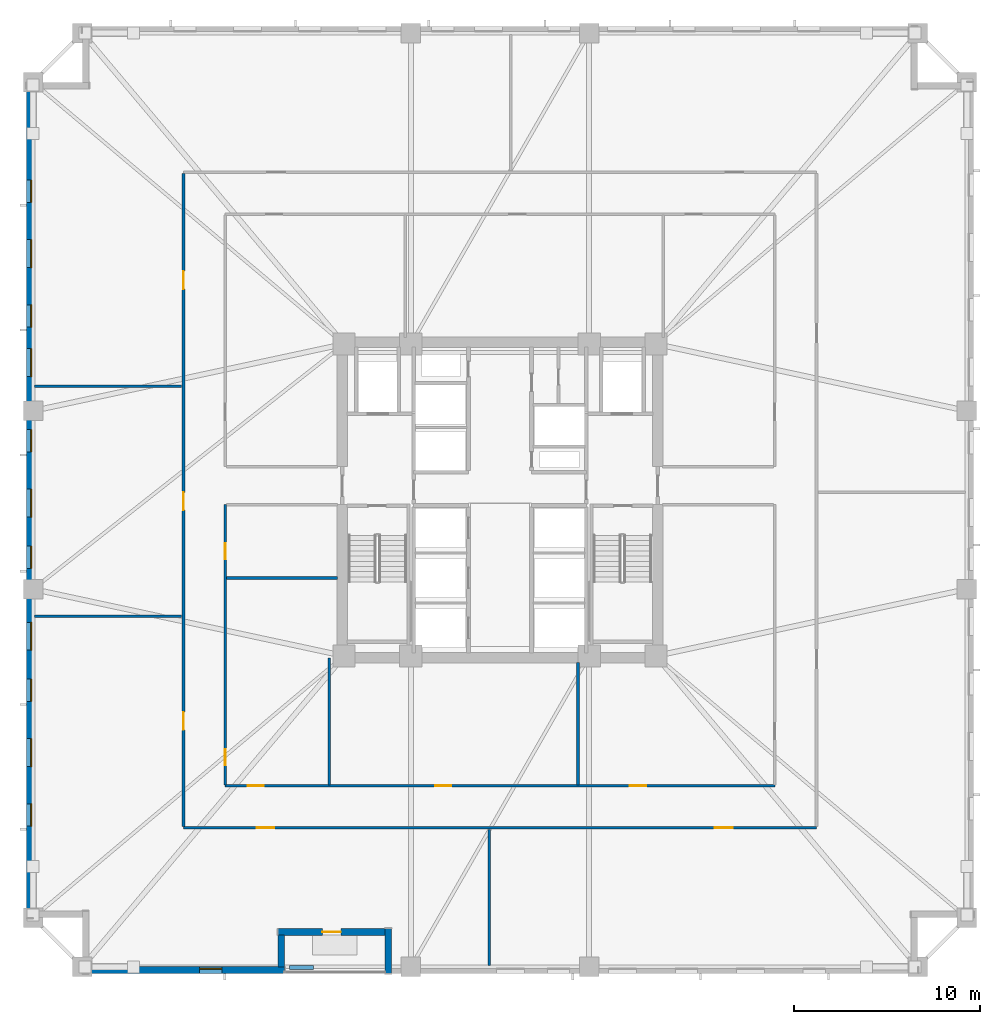
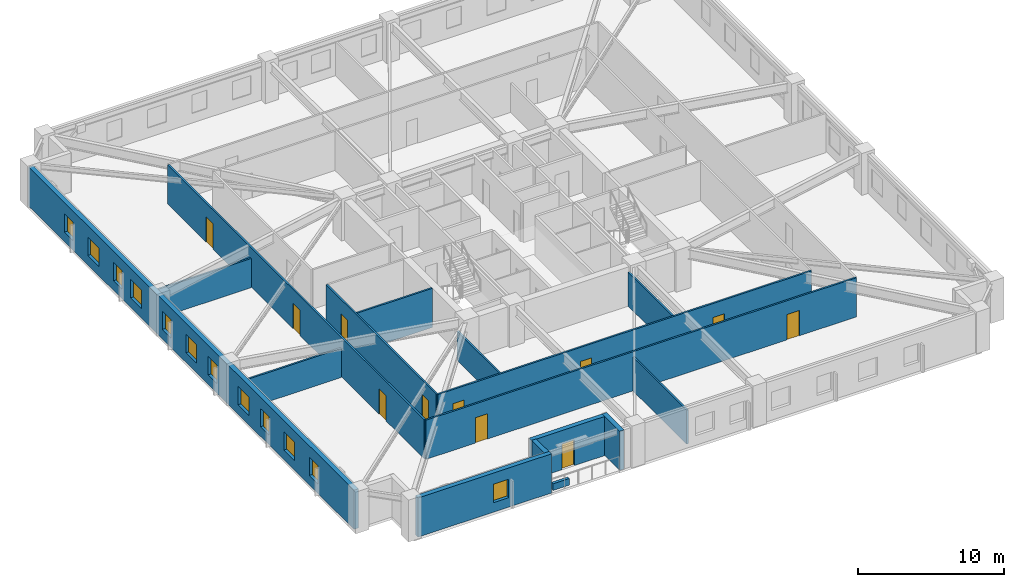
# One storey, part 2 of 10: 16 walls, 12 windows, 11 doors, 23 openings.
"""IFC4 building model written with IfcOpenShell, lengths in metres."""

from ifc_helpers import new_model, si_unit, direction, frame, frame_2d, origin, place, context, subcontext, project, spatial, rectangle, extrude, material, layer, layer_set, type_object, element, fill, save


model = new_model("IFC4")

# Units and contexts
model_context = context("Model", 3, precision=1e-05, world=origin(), true_north=direction((0.0, 1.0)))
body_context = subcontext(model_context, "Body", "Model", "MODEL_VIEW")
ifc_project = project(units=[si_unit("LENGTHUNIT", "METRE"), si_unit("AREAUNIT", "SQUARE_METRE"), si_unit("VOLUMEUNIT", "CUBIC_METRE"), si_unit("PLANEANGLEUNIT", "RADIAN"), si_unit("MASSUNIT", "GRAM", prefix="KILO")], contexts=[model_context])

# Site, building, storey
site_placement = place(None, origin())
site = spatial("IfcSite", under=ifc_project, at=site_placement, CompositionType="ELEMENT")
building_placement = place(site_placement, origin())
building = spatial("IfcBuilding", under=site, at=building_placement, Name="Cairnveth Concourse Tower", CompositionType="ELEMENT")
storey_placement = place(building_placement, frame((0.0, 0.0, 27.0)))
storey = spatial("IfcBuildingStorey", under=building, at=storey_placement, Name="L06", CompositionType="ELEMENT", Elevation=27.0)

# Wall, openings, doors
ifc_material_1 = material(Name="Gypsum Plasterboard Partition", Category="gypsum")
ifc_layer_1 = layer(ifc_material_1, 0.139892578125)
ifc_layer_set_1 = layer_set([ifc_layer_1], Name="Gypsum Plasterboard Partition")
wall_type_1 = type_object("IfcWallType", Name="GYPSUM STUD PARTITION 140", PredefinedType="PARTITIONING", material=ifc_layer_set_1)
wall_1_placement = place(storey_placement, frame((34.949951171875, 21.35009765625, 0.0), z_axis=(0.0, 0.0, 1.0), x_axis=(1.0, 0.0, 0.0)))
wall_1 = element("IfcWall", 1, at=wall_1_placement, inside=storey, type_object=wall_type_1, Name="Interior Wall IW-L06-038", PredefinedType="PARTITIONING", context=body_context, shape_type="SweptSolid", body=[
    extrude(rectangle(XDim=34.10009765625, YDim=0.139892578125, at=frame_2d((17.050048828125, 0.0))), origin(), (0.0, 0.0, 1.0), 3.280029296875),
])
opening_1_placement = place(wall_1_placement, frame((3.9375, 0.0, 0.0)))
opening_1 = element("IfcOpeningElement", 2, at=opening_1_placement, cuts=wall_1, Name="Opening ID11", PredefinedType="OPENING", context=body_context, shape_type="SweptSolid", body=[
    extrude(rectangle(XDim=0.9599609375, YDim=2.1201171875, at=frame_2d((0.47998046875, 1.06005859375))), frame((0.0, 0.079833984375, 0.0), z_axis=(0.0, -1.0, 0.0), x_axis=(1.0, 0.0, 0.0)), (0.0, 0.0, 1.0), 0.159912109375),
])
opening_2_placement = place(wall_1_placement, frame((28.617431640625, 0.0, 0.0)))
opening_2 = element("IfcOpeningElement", 3, at=opening_2_placement, cuts=wall_1, Name="Opening ID11", PredefinedType="OPENING", context=body_context, shape_type="SweptSolid", body=[
    extrude(rectangle(XDim=0.9599609375, YDim=2.1201171875, at=frame_2d((0.47998046875, 1.06005859375))), frame((0.0, 0.079833984375, 0.0), z_axis=(0.0, -1.0, 0.0), x_axis=(1.0, 0.0, 0.0)), (0.0, 0.0, 1.0), 0.159912109375),
])
ifc_material_2 = material(Name="Solid Core Hardwood Timber Leaf", Category="wood")
door_type_1 = type_object("IfcDoorType", Name="INTERIOR SINGLE DOOR 960X2150", OperationType="NOTDEFINED", PredefinedType="DOOR", material=ifc_material_2)
door_1_placement = place(opening_1_placement, origin())
door_1 = element("IfcDoor", 4, at=door_1_placement, inside=storey, type_object=door_type_1, Name="Office Door L06-S1", OperationType="SINGLE_SWING_LEFT", OverallHeight=2.1201171875, OverallWidth=0.9599609375, PredefinedType="DOOR", context=body_context, shape_type="SweptSolid", body=[
    extrude(rectangle(XDim=0.9599609375, YDim=2.1201171875, at=frame_2d((0.47998046875, 1.06005859375))), frame((0.0, 0.02490234375, 0.0), z_axis=(0.0, -1.0, 0.0), x_axis=(1.0, 0.0, 0.0)), (0.0, 0.0, 1.0), 0.050048828125),
])
fill(opening_1, door_1)
door_2_placement = place(opening_2_placement, origin())
door_2 = element("IfcDoor", 5, at=door_2_placement, inside=storey, type_object=door_type_1, Name="Office Door L06-S2", OperationType="SINGLE_SWING_RIGHT", OverallHeight=2.1201171875, OverallWidth=0.9599609375, PredefinedType="DOOR", context=body_context, shape_type="SweptSolid", body=[
    extrude(rectangle(XDim=0.9599609375, YDim=2.1201171875, at=frame_2d((0.47998046875, 1.06005859375))), frame((0.0, 0.02490234375, 0.0), z_axis=(0.0, -1.0, 0.0), x_axis=(1.0, 0.0, 0.0)), (0.0, 0.0, 1.0), 0.050048828125),
])
fill(opening_2, door_2)

wall_2_placement = place(storey_placement, frame((34.949951171875, 21.405029296875, 0.0), z_axis=(0.0, 0.0, 1.0), x_axis=(0.0, 1.0, 0.0)))
wall_2 = element("IfcWall", 6, at=wall_2_placement, inside=storey, type_object=wall_type_1, Name="Interior Wall IW-L06-040", PredefinedType="PARTITIONING", context=body_context, shape_type="SweptSolid", body=[
    extrude(rectangle(XDim=35.18994140625, YDim=0.139892578125, at=frame_2d((17.594970703125, 0.0))), origin(), (0.0, 0.0, 1.0), 3.280029296875),
])
opening_3_placement = place(wall_2_placement, frame((5.210205078125, 0.0, 0.0)))
opening_3 = element("IfcOpeningElement", 7, at=opening_3_placement, cuts=wall_2, Name="Opening ID11", PredefinedType="OPENING", context=body_context, shape_type="SweptSolid", body=[
    extrude(rectangle(XDim=0.9599609375, YDim=2.1201171875, at=frame_2d((0.47998046875, 1.06005859375))), frame((0.0, 0.079833984375, 0.0), z_axis=(0.0, -1.0, 0.0), x_axis=(1.0, 0.0, 0.0)), (0.0, 0.0, 1.0), 0.159912109375),
])
opening_4_placement = place(wall_2_placement, frame((17.052001953125, 0.0, 0.0)))
opening_4 = element("IfcOpeningElement", 8, at=opening_4_placement, cuts=wall_2, Name="Opening ID11", PredefinedType="OPENING", context=body_context, shape_type="SweptSolid", body=[
    extrude(rectangle(XDim=0.9599609375, YDim=2.1201171875, at=frame_2d((0.47998046875, 1.06005859375))), frame((0.0, 0.079833984375, 0.0), z_axis=(0.0, -1.0, 0.0), x_axis=(1.0, 0.0, 0.0)), (0.0, 0.0, 1.0), 0.159912109375),
])
opening_5_placement = place(wall_2_placement, frame((28.956787109375, 0.0, 0.0)))
opening_5 = element("IfcOpeningElement", 9, at=opening_5_placement, cuts=wall_2, Name="Opening ID11", PredefinedType="OPENING", context=body_context, shape_type="SweptSolid", body=[
    extrude(rectangle(XDim=0.9599609375, YDim=2.1201171875, at=frame_2d((0.47998046875, 1.06005859375))), frame((0.0, 0.079833984375, 0.0), z_axis=(0.0, -1.0, 0.0), x_axis=(1.0, 0.0, 0.0)), (0.0, 0.0, 1.0), 0.159912109375),
])
door_3_placement = place(opening_3_placement, origin())
door_3 = element("IfcDoor", 10, at=door_3_placement, inside=storey, type_object=door_type_1, Name="Office Door L06-W1", OperationType="SINGLE_SWING_LEFT", OverallHeight=2.1201171875, OverallWidth=0.9599609375, PredefinedType="DOOR", context=body_context, shape_type="SweptSolid", body=[
    extrude(rectangle(XDim=0.9599609375, YDim=2.1201171875, at=frame_2d((0.47998046875, 1.06005859375))), frame((0.0, 0.02490234375, 0.0), z_axis=(0.0, -1.0, 0.0), x_axis=(1.0, 0.0, 0.0)), (0.0, 0.0, 1.0), 0.050048828125),
])
fill(opening_3, door_3)
door_4_placement = place(opening_4_placement, origin())
door_4 = element("IfcDoor", 11, at=door_4_placement, inside=storey, type_object=door_type_1, Name="Office Door L06-W2", OperationType="SINGLE_SWING_RIGHT", OverallHeight=2.1201171875, OverallWidth=0.9599609375, PredefinedType="DOOR", context=body_context, shape_type="SweptSolid", body=[
    extrude(rectangle(XDim=0.9599609375, YDim=2.1201171875, at=frame_2d((0.47998046875, 1.06005859375))), frame((0.0, 0.02490234375, 0.0), z_axis=(0.0, -1.0, 0.0), x_axis=(1.0, 0.0, 0.0)), (0.0, 0.0, 1.0), 0.050048828125),
])
fill(opening_4, door_4)
door_5_placement = place(opening_5_placement, origin())
door_5 = element("IfcDoor", 12, at=door_5_placement, inside=storey, type_object=door_type_1, Name="Office Door L06-W3", OperationType="SINGLE_SWING_LEFT", OverallHeight=2.1201171875, OverallWidth=0.9599609375, PredefinedType="DOOR", context=body_context, shape_type="SweptSolid", body=[
    extrude(rectangle(XDim=0.9599609375, YDim=2.1201171875, at=frame_2d((0.47998046875, 1.06005859375))), frame((0.0, 0.02490234375, 0.0), z_axis=(0.0, -1.0, 0.0), x_axis=(1.0, 0.0, 0.0)), (0.0, 0.0, 1.0), 0.050048828125),
])
fill(opening_5, door_5)

wall_3_placement = place(storey_placement, frame((37.199951171875, 23.60009765625, 0.0), z_axis=(0.0, 0.0, 1.0), x_axis=(1.0, 0.0, 0.0)))
wall_3 = element("IfcWall", 13, at=wall_3_placement, inside=storey, type_object=wall_type_1, Name="Interior Wall IW-L06-042", PredefinedType="PARTITIONING", context=body_context, shape_type="SweptSolid", body=[
    extrude(rectangle(XDim=29.60009765625, YDim=0.139892578125, at=frame_2d((14.800048828125, 0.0))), origin(), (0.0, 0.0, 1.0), 3.280029296875),
])
opening_6_placement = place(wall_3_placement, frame((1.199951171875, 0.0, 0.0)))
opening_6 = element("IfcOpeningElement", 14, at=opening_6_placement, cuts=wall_3, Name="Opening ID18", PredefinedType="OPENING", context=body_context, shape_type="SweptSolid", body=[
    extrude(rectangle(XDim=0.8798828125, YDim=2.10009765625, at=frame_2d((0.43994140625, 1.050048828125))), frame((0.0, 0.079833984375, 0.0), z_axis=(0.0, -1.0, 0.0), x_axis=(1.0, 0.0, 0.0)), (0.0, 0.0, 1.0), 0.159912109375),
])
opening_7_placement = place(wall_3_placement, frame((11.300048828125, 0.0, 0.0)))
opening_7 = element("IfcOpeningElement", 15, at=opening_7_placement, cuts=wall_3, Name="Opening ID18", PredefinedType="OPENING", context=body_context, shape_type="SweptSolid", body=[
    extrude(rectangle(XDim=0.8798828125, YDim=2.10009765625, at=frame_2d((0.43994140625, 1.050048828125))), frame((0.0, 0.079833984375, 0.0), z_axis=(0.0, -1.0, 0.0), x_axis=(1.0, 0.0, 0.0)), (0.0, 0.0, 1.0), 0.159912109375),
])
opening_8_placement = place(wall_3_placement, frame((21.800048828125, 0.0, 0.0)))
opening_8 = element("IfcOpeningElement", 16, at=opening_8_placement, cuts=wall_3, Name="Opening ID18", PredefinedType="OPENING", context=body_context, shape_type="SweptSolid", body=[
    extrude(rectangle(XDim=0.8798828125, YDim=2.10009765625, at=frame_2d((0.43994140625, 1.050048828125))), frame((0.0, 0.079833984375, 0.0), z_axis=(0.0, -1.0, 0.0), x_axis=(1.0, 0.0, 0.0)), (0.0, 0.0, 1.0), 0.159912109375),
])
door_type_2 = type_object("IfcDoorType", Name="INTERIOR SINGLE DOOR 880X2100", OperationType="NOTDEFINED", PredefinedType="DOOR", material=ifc_material_2)
door_6_placement = place(opening_6_placement, origin())
door_6 = element("IfcDoor", 17, at=door_6_placement, inside=storey, type_object=door_type_2, Name="Interior Door DR-L06-014", OperationType="SINGLE_SWING_RIGHT", OverallHeight=2.10009765625, OverallWidth=0.8798828125, PredefinedType="DOOR", context=body_context, shape_type="SweptSolid", body=[
    extrude(rectangle(XDim=0.8798828125, YDim=2.10009765625, at=frame_2d((0.43994140625, 1.050048828125))), frame((0.0, 0.02490234375, 0.0), z_axis=(0.0, -1.0, 0.0), x_axis=(1.0, 0.0, 0.0)), (0.0, 0.0, 1.0), 0.050048828125),
])
fill(opening_6, door_6)
door_7_placement = place(opening_7_placement, origin())
door_7 = element("IfcDoor", 18, at=door_7_placement, inside=storey, type_object=door_type_2, Name="Interior Door DR-L06-015", OperationType="SINGLE_SWING_LEFT", OverallHeight=2.10009765625, OverallWidth=0.8798828125, PredefinedType="DOOR", context=body_context, shape_type="SweptSolid", body=[
    extrude(rectangle(XDim=0.8798828125, YDim=2.10009765625, at=frame_2d((0.43994140625, 1.050048828125))), frame((0.0, 0.02490234375, 0.0), z_axis=(0.0, -1.0, 0.0), x_axis=(1.0, 0.0, 0.0)), (0.0, 0.0, 1.0), 0.050048828125),
])
fill(opening_7, door_7)
door_8_placement = place(opening_8_placement, origin())
door_8 = element("IfcDoor", 19, at=door_8_placement, inside=storey, type_object=door_type_2, Name="Interior Door DR-L06-016", OperationType="SINGLE_SWING_RIGHT", OverallHeight=2.10009765625, OverallWidth=0.8798828125, PredefinedType="DOOR", context=body_context, shape_type="SweptSolid", body=[
    extrude(rectangle(XDim=0.8798828125, YDim=2.10009765625, at=frame_2d((0.43994140625, 1.050048828125))), frame((0.0, 0.02490234375, 0.0), z_axis=(0.0, -1.0, 0.0), x_axis=(1.0, 0.0, 0.0)), (0.0, 0.0, 1.0), 0.050048828125),
])
fill(opening_8, door_8)

wall_4_placement = place(storey_placement, frame((37.199951171875, 23.655029296875, 0.0), z_axis=(0.0, 0.0, 1.0), x_axis=(0.0, 1.0, 0.0)))
wall_4 = element("IfcWall", 20, at=wall_4_placement, inside=storey, type_object=wall_type_1, Name="Interior Wall IW-L06-044", PredefinedType="PARTITIONING", context=body_context, shape_type="SweptSolid", body=[
    extrude(rectangle(XDim=15.094970703125, YDim=0.139892578125, at=frame_2d((7.54736328125, 0.0))), origin(), (0.0, 0.0, 1.0), 3.280029296875),
])
opening_9_placement = place(wall_4_placement, frame((1.044921875, 0.0, 0.0)))
opening_9 = element("IfcOpeningElement", 21, at=opening_9_placement, cuts=wall_4, Name="Opening ID18", PredefinedType="OPENING", context=body_context, shape_type="SweptSolid", body=[
    extrude(rectangle(XDim=0.8798828125, YDim=2.10009765625, at=frame_2d((0.43994140625, 1.050048828125))), frame((0.0, 0.079833984375, 0.0), z_axis=(0.0, -1.0, 0.0), x_axis=(1.0, 0.0, 0.0)), (0.0, 0.0, 1.0), 0.159912109375),
])
opening_10_placement = place(wall_4_placement, frame((12.14501953125, 0.0, 0.0)))
opening_10 = element("IfcOpeningElement", 22, at=opening_10_placement, cuts=wall_4, Name="Opening ID18", PredefinedType="OPENING", context=body_context, shape_type="SweptSolid", body=[
    extrude(rectangle(XDim=0.8798828125, YDim=2.10009765625, at=frame_2d((0.43994140625, 1.050048828125))), frame((0.0, 0.079833984375, 0.0), z_axis=(0.0, -1.0, 0.0), x_axis=(1.0, 0.0, 0.0)), (0.0, 0.0, 1.0), 0.159912109375),
])
door_9_placement = place(opening_9_placement, origin())
door_9 = element("IfcDoor", 23, at=door_9_placement, inside=storey, type_object=door_type_2, Name="Interior Door DR-L06-020", OperationType="SINGLE_SWING_RIGHT", OverallHeight=2.10009765625, OverallWidth=0.8798828125, PredefinedType="DOOR", context=body_context, shape_type="SweptSolid", body=[
    extrude(rectangle(XDim=0.8798828125, YDim=2.10009765625, at=frame_2d((0.43994140625, 1.050048828125))), frame((0.0, 0.02490234375, 0.0), z_axis=(0.0, -1.0, 0.0), x_axis=(1.0, 0.0, 0.0)), (0.0, 0.0, 1.0), 0.050048828125),
])
fill(opening_9, door_9)
door_10_placement = place(opening_10_placement, origin())
door_10 = element("IfcDoor", 24, at=door_10_placement, inside=storey, type_object=door_type_2, Name="Interior Door DR-L06-021", OperationType="SINGLE_SWING_LEFT", OverallHeight=2.10009765625, OverallWidth=0.8798828125, PredefinedType="DOOR", context=body_context, shape_type="SweptSolid", body=[
    extrude(rectangle(XDim=0.8798828125, YDim=2.10009765625, at=frame_2d((0.43994140625, 1.050048828125))), frame((0.0, 0.02490234375, 0.0), z_axis=(0.0, -1.0, 0.0), x_axis=(1.0, 0.0, 0.0)), (0.0, 0.0, 1.0), 0.050048828125),
])
fill(opening_10, door_10)

# Walls
wall_5_placement = place(storey_placement, frame((42.800048828125, 23.655029296875, 0.0), z_axis=(0.0, 0.0, 1.0), x_axis=(0.0, 1.0, 0.0)))
element("IfcWall", 25, at=wall_5_placement, inside=storey, type_object=wall_type_1, Name="Interior Wall IW-L06-052", PredefinedType="PARTITIONING", context=body_context, shape_type="SweptSolid", body=[
    extrude(rectangle(XDim=6.844970703125, YDim=0.139892578125, at=frame_2d((3.42236328125, 0.0))), origin(), (0.0, 0.0, 1.0), 2.43896484375),
])
wall_6_placement = place(storey_placement, frame((56.199951171875, 23.655029296875, 0.0), z_axis=(0.0, 0.0, 1.0), x_axis=(0.0, 1.0, 0.0)))
element("IfcWall", 26, at=wall_6_placement, inside=storey, type_object=wall_type_1, Name="Interior Wall IW-L06-053", PredefinedType="PARTITIONING", context=body_context, shape_type="SweptSolid", body=[
    extrude(rectangle(XDim=6.5849609375, YDim=0.139892578125, at=frame_2d((3.29248046875, 0.0))), origin(), (0.0, 0.0, 1.0), 2.84912109375),
])
wall_7_placement = place(storey_placement, frame((37.2548828125, 34.800048828125, 0.0), z_axis=(0.0, 0.0, 1.0), x_axis=(1.0, 0.0, 0.0)))
element("IfcWall", 27, at=wall_7_placement, inside=storey, type_object=wall_type_1, Name="Interior Wall IW-L06-056", PredefinedType="PARTITIONING", context=body_context, shape_type="SweptSolid", body=[
    extrude(rectangle(XDim=5.985107421875, YDim=0.139892578125, at=frame_2d((2.99267578125, 0.0))), origin(), (0.0, 0.0, 1.0), 3.280029296875),
])
wall_8_placement = place(storey_placement, frame((51.4150390625, 13.919921875, 0.0), z_axis=(0.0, 0.0, 1.0), x_axis=(0.0, 1.0, 0.0)))
element("IfcWall", 28, at=wall_8_placement, inside=storey, type_object=wall_type_1, Name="Interior Wall IW-L06-057", PredefinedType="PARTITIONING", context=body_context, shape_type="SweptSolid", body=[
    extrude(rectangle(XDim=7.330078125, YDim=0.139892578125, at=frame_2d((3.6650390625, 0.0))), origin(), (0.0, 0.0, 1.0), 2.84912109375),
])
for number, where, z_axis, x_axis, name in (
    (29, (26.919921875, 32.740478515625, 0.0), (0.0, 0.0, 1.0), (1.0, 0.0, 0.0), "Interior Wall IW-L06-059"),
    (30, (26.919921875, 45.133544921875, 0.0), (0.0, 0.0, 1.0), (1.0, 0.0, 0.0), "Interior Wall IW-L06-060"),
):
    element("IfcWall", number, at=place(storey_placement, frame(where, z_axis=z_axis, x_axis=x_axis)), inside=storey, type_object=wall_type_1, Name=name, PredefinedType="PARTITIONING", context=body_context, shape_type="SweptSolid", body=[
        extrude(rectangle(XDim=7.93017578125, YDim=0.139892578125, at=frame_2d((3.965087890625, 0.0))), origin(), (0.0, 0.0, 1.0), 2.43896484375),
    ])
ifc_material_3 = material(Name="Dressed Melbourne Bluestone Cladding", Category="masonry")
ifc_layer_2 = layer(ifc_material_3, 0.219970703125)
ifc_layer_set_2 = layer_set([ifc_layer_2], Name="Dressed Melbourne Bluestone Cladding")
wall_type_2 = type_object("IfcWallType", Name="TERRACE PLANTER CURB WALL 220", PredefinedType="PARAPET", material=ifc_layer_set_2)
wall_9_placement = place(storey_placement, frame((40.64990234375, 13.820068359375, 0.0), z_axis=(0.0, 0.0, 1.0), x_axis=(1.0, 0.0, 0.0)))
element("IfcWall", 31, at=wall_9_placement, inside=storey, type_object=wall_type_2, Name="Exterior Wall PLNT-L06-TERR", PredefinedType="PARAPET", context=body_context, shape_type="SweptSolid", body=[
    extrude(rectangle(XDim=1.300048828125, YDim=0.219970703125, at=frame_2d((0.64990234375, 0.0))), origin(), (0.0, 0.0, 1.0), 0.550048828125),
])

# Wall, opening, window
ifc_material_4 = material(Name="Hawthorn Red-Ochre Fired Clay Brick Masonry", Category="masonry")
ifc_layer_3 = layer(ifc_material_4, 0.360107421875)
ifc_layer_set_3 = layer_set([ifc_layer_3], Name="Hawthorn Red-Ochre Fired Clay Brick Masonry")
wall_type_3 = type_object("IfcWallType", Name="ZONE 1 BRICK PIER SPANDREL WALL 360", PredefinedType="SOLIDWALL", material=ifc_layer_set_3)
wall_10_placement = place(storey_placement, frame((40.39990234375, 13.679931640625, 0.0), z_axis=(0.0, 0.0, 1.0), x_axis=(-1.0, 0.0, 0.0)))
wall_10 = element("IfcWall", 32, at=wall_10_placement, inside=storey, type_object=wall_type_3, Name="Exterior Wall EW-L06-S00", PredefinedType="SOLIDWALL", context=body_context, shape_type="SweptSolid", body=[
    extrude(rectangle(XDim=10.56201171875, YDim=0.360107421875, at=frame_2d((5.281005859375, 0.0))), origin(), (0.0, 0.0, 1.0), 3.280029296875),
])
opening_11_placement = place(wall_10_placement, frame((3.381103515625, 0.0, 0.800048828125)))
opening_11 = element("IfcOpeningElement", 33, at=opening_11_placement, cuts=wall_10, Name="Opening W01", PredefinedType="OPENING", context=body_context, shape_type="SweptSolid", body=[
    extrude(rectangle(XDim=1.199951171875, YDim=1.5439453125, at=frame_2d((0.60009765625, 0.77197265625))), frame((0.0, 0.18994140625, 0.0), z_axis=(0.0, -1.0, 0.0), x_axis=(1.0, 0.0, 0.0)), (0.0, 0.0, 1.0), 0.380126953125),
])
ifc_material_5 = material(Name="Double Glazed Low-E Clear Glass", Category="glass")
window_type_1 = type_object("IfcWindowType", Name="DEEP-SET GOTHIC LANCET WINDOW 1200X1800", PartitioningType="DOUBLE_PANEL_VERTICAL", PredefinedType="WINDOW", material=ifc_material_5)
window_1_placement = place(opening_11_placement, origin())
window_1 = element("IfcWindow", 34, at=window_1_placement, inside=storey, type_object=window_type_1, Name="Gothic Lancet Window L06-0-1", OverallHeight=1.5439453125, OverallWidth=1.199951171875, PartitioningType="SINGLE_PANEL", PredefinedType="WINDOW", context=body_context, shape_type="SweptSolid", body=[
    extrude(rectangle(XDim=1.199951171875, YDim=1.5439453125, at=frame_2d((0.60009765625, 0.77197265625))), frame((0.0, -0.050048828125, 0.0), z_axis=(0.0, -1.0, 0.0), x_axis=(1.0, 0.0, 0.0)), (0.0, 0.0, 1.0), 0.06005859375),
])
fill(opening_11, window_1)

# Wall, openings, windows
wall_11_placement = place(storey_placement, frame((26.679931640625, 16.5, 0.0), z_axis=(0.0, 0.0, 1.0), x_axis=(0.0, 1.0, 0.0)))
wall_11 = element("IfcWall", 35, at=wall_11_placement, inside=storey, type_object=wall_type_3, Name="Exterior Wall EW-L06-S03", PredefinedType="SOLIDWALL", context=body_context, shape_type="SweptSolid", body=[
    extrude(rectangle(XDim=44.662109375, YDim=0.360107421875, at=frame_2d((22.3310546875, 0.0))), origin(), (0.0, 0.0, 1.0), 3.280029296875),
])
opening_12_placement = place(wall_11_placement, frame((4.93017578125, 0.0, 0.800048828125)))
opening_12 = element("IfcOpeningElement", 36, at=opening_12_placement, cuts=wall_11, Name="Opening W01", PredefinedType="OPENING", context=body_context, shape_type="SweptSolid", body=[
    extrude(rectangle(XDim=1.199951171875, YDim=1.5439453125, at=frame_2d((0.60009765625, 0.77197265625))), frame((0.0, 0.18994140625, 0.0), z_axis=(0.0, -1.0, 0.0), x_axis=(1.0, 0.0, 0.0)), (0.0, 0.0, 1.0), 0.380126953125),
])
opening_13_placement = place(wall_11_placement, frame((8.140380859375, 0.0, 0.800048828125)))
opening_13 = element("IfcOpeningElement", 37, at=opening_13_placement, cuts=wall_11, Name="Opening W03", PredefinedType="OPENING", context=body_context, shape_type="SweptSolid", body=[
    extrude(rectangle(XDim=1.5, YDim=1.5439453125, at=frame_2d((0.75, 0.77197265625))), frame((0.0, 0.18994140625, 0.0), z_axis=(0.0, -1.0, 0.0), x_axis=(1.0, 0.0, 0.0)), (0.0, 0.0, 1.0), 0.380126953125),
])
opening_14_placement = place(wall_11_placement, frame((11.650390625, 0.0, 0.800048828125)))
opening_14 = element("IfcOpeningElement", 38, at=opening_14_placement, cuts=wall_11, Name="Opening W01", PredefinedType="OPENING", context=body_context, shape_type="SweptSolid", body=[
    extrude(rectangle(XDim=1.199951171875, YDim=1.5439453125, at=frame_2d((0.60009765625, 0.77197265625))), frame((0.0, 0.18994140625, 0.0), z_axis=(0.0, -1.0, 0.0), x_axis=(1.0, 0.0, 0.0)), (0.0, 0.0, 1.0), 0.380126953125),
])
opening_15_placement = place(wall_11_placement, frame((14.41064453125, 0.0, 0.800048828125)))
opening_15 = element("IfcOpeningElement", 39, at=opening_15_placement, cuts=wall_11, Name="Opening W03", PredefinedType="OPENING", context=body_context, shape_type="SweptSolid", body=[
    extrude(rectangle(XDim=1.5, YDim=1.5439453125, at=frame_2d((0.75, 0.77197265625))), frame((0.0, 0.18994140625, 0.0), z_axis=(0.0, -1.0, 0.0), x_axis=(1.0, 0.0, 0.0)), (0.0, 0.0, 1.0), 0.380126953125),
])
opening_16_placement = place(wall_11_placement, frame((18.82080078125, 0.0, 0.800048828125)))
opening_16 = element("IfcOpeningElement", 40, at=opening_16_placement, cuts=wall_11, Name="Opening W01", PredefinedType="OPENING", context=body_context, shape_type="SweptSolid", body=[
    extrude(rectangle(XDim=1.199951171875, YDim=1.5439453125, at=frame_2d((0.60009765625, 0.77197265625))), frame((0.0, 0.18994140625, 0.0), z_axis=(0.0, -1.0, 0.0), x_axis=(1.0, 0.0, 0.0)), (0.0, 0.0, 1.0), 0.380126953125),
])
opening_17_placement = place(wall_11_placement, frame((21.5810546875, 0.0, 0.800048828125)))
opening_17 = element("IfcOpeningElement", 41, at=opening_17_placement, cuts=wall_11, Name="Opening W03", PredefinedType="OPENING", context=body_context, shape_type="SweptSolid", body=[
    extrude(rectangle(XDim=1.5, YDim=1.5439453125, at=frame_2d((0.75, 0.77197265625))), frame((0.0, 0.18994140625, 0.0), z_axis=(0.0, -1.0, 0.0), x_axis=(1.0, 0.0, 0.0)), (0.0, 0.0, 1.0), 0.380126953125),
])
opening_18_placement = place(wall_11_placement, frame((25.09130859375, 0.0, 0.800048828125)))
opening_18 = element("IfcOpeningElement", 42, at=opening_18_placement, cuts=wall_11, Name="Opening W01", PredefinedType="OPENING", context=body_context, shape_type="SweptSolid", body=[
    extrude(rectangle(XDim=1.199951171875, YDim=1.5439453125, at=frame_2d((0.60009765625, 0.77197265625))), frame((0.0, 0.18994140625, 0.0), z_axis=(0.0, -1.0, 0.0), x_axis=(1.0, 0.0, 0.0)), (0.0, 0.0, 1.0), 0.380126953125),
])
opening_19_placement = place(wall_11_placement, frame((29.1513671875, 0.0, 0.800048828125)))
opening_19 = element("IfcOpeningElement", 43, at=opening_19_placement, cuts=wall_11, Name="Opening W03", PredefinedType="OPENING", context=body_context, shape_type="SweptSolid", body=[
    extrude(rectangle(XDim=1.5, YDim=1.5439453125, at=frame_2d((0.75, 0.77197265625))), frame((0.0, 0.18994140625, 0.0), z_axis=(0.0, -1.0, 0.0), x_axis=(1.0, 0.0, 0.0)), (0.0, 0.0, 1.0), 0.380126953125),
])
opening_20_placement = place(wall_11_placement, frame((31.8115234375, 0.0, 0.800048828125)))
opening_20 = element("IfcOpeningElement", 44, at=opening_20_placement, cuts=wall_11, Name="Opening W01", PredefinedType="OPENING", context=body_context, shape_type="SweptSolid", body=[
    extrude(rectangle(XDim=1.199951171875, YDim=1.5439453125, at=frame_2d((0.60009765625, 0.77197265625))), frame((0.0, 0.18994140625, 0.0), z_axis=(0.0, -1.0, 0.0), x_axis=(1.0, 0.0, 0.0)), (0.0, 0.0, 1.0), 0.380126953125),
])
opening_21_placement = place(wall_11_placement, frame((35.021728515625, 0.0, 0.800048828125)))
opening_21 = element("IfcOpeningElement", 45, at=opening_21_placement, cuts=wall_11, Name="Opening W03", PredefinedType="OPENING", context=body_context, shape_type="SweptSolid", body=[
    extrude(rectangle(XDim=1.5, YDim=1.5439453125, at=frame_2d((0.75, 0.77197265625))), frame((0.0, 0.18994140625, 0.0), z_axis=(0.0, -1.0, 0.0), x_axis=(1.0, 0.0, 0.0)), (0.0, 0.0, 1.0), 0.380126953125),
])
opening_22_placement = place(wall_11_placement, frame((38.531982421875, 0.0, 0.800048828125)))
opening_22 = element("IfcOpeningElement", 46, at=opening_22_placement, cuts=wall_11, Name="Opening W01", PredefinedType="OPENING", context=body_context, shape_type="SweptSolid", body=[
    extrude(rectangle(XDim=1.199951171875, YDim=1.5439453125, at=frame_2d((0.60009765625, 0.77197265625))), frame((0.0, 0.18994140625, 0.0), z_axis=(0.0, -1.0, 0.0), x_axis=(1.0, 0.0, 0.0)), (0.0, 0.0, 1.0), 0.380126953125),
])
window_2_placement = place(opening_12_placement, origin())
window_2 = element("IfcWindow", 47, at=window_2_placement, inside=storey, type_object=window_type_1, Name="Gothic Lancet Window L06-3-1", OverallHeight=1.5439453125, OverallWidth=1.199951171875, PartitioningType="SINGLE_PANEL", PredefinedType="WINDOW", context=body_context, shape_type="SweptSolid", body=[
    extrude(rectangle(XDim=1.199951171875, YDim=1.5439453125, at=frame_2d((0.60009765625, 0.77197265625))), frame((0.0, -0.050048828125, 0.0), z_axis=(0.0, -1.0, 0.0), x_axis=(1.0, 0.0, 0.0)), (0.0, 0.0, 1.0), 0.06005859375),
])
fill(opening_12, window_2)
window_3_placement = place(opening_14_placement, origin())
window_3 = element("IfcWindow", 48, at=window_3_placement, inside=storey, type_object=window_type_1, Name="Gothic Lancet Window L06-3-3", OverallHeight=1.5439453125, OverallWidth=1.199951171875, PartitioningType="SINGLE_PANEL", PredefinedType="WINDOW", context=body_context, shape_type="SweptSolid", body=[
    extrude(rectangle(XDim=1.199951171875, YDim=1.5439453125, at=frame_2d((0.60009765625, 0.77197265625))), frame((0.0, -0.050048828125, 0.0), z_axis=(0.0, -1.0, 0.0), x_axis=(1.0, 0.0, 0.0)), (0.0, 0.0, 1.0), 0.06005859375),
])
fill(opening_14, window_3)
window_4_placement = place(opening_16_placement, origin())
window_4 = element("IfcWindow", 49, at=window_4_placement, inside=storey, type_object=window_type_1, Name="Gothic Lancet Window L06-3-5", OverallHeight=1.5439453125, OverallWidth=1.199951171875, PartitioningType="SINGLE_PANEL", PredefinedType="WINDOW", context=body_context, shape_type="SweptSolid", body=[
    extrude(rectangle(XDim=1.199951171875, YDim=1.5439453125, at=frame_2d((0.60009765625, 0.77197265625))), frame((0.0, -0.050048828125, 0.0), z_axis=(0.0, -1.0, 0.0), x_axis=(1.0, 0.0, 0.0)), (0.0, 0.0, 1.0), 0.06005859375),
])
fill(opening_16, window_4)
window_5_placement = place(opening_18_placement, origin())
window_5 = element("IfcWindow", 50, at=window_5_placement, inside=storey, type_object=window_type_1, Name="Gothic Lancet Window L06-3-7", OverallHeight=1.5439453125, OverallWidth=1.199951171875, PartitioningType="SINGLE_PANEL", PredefinedType="WINDOW", context=body_context, shape_type="SweptSolid", body=[
    extrude(rectangle(XDim=1.199951171875, YDim=1.5439453125, at=frame_2d((0.60009765625, 0.77197265625))), frame((0.0, -0.050048828125, 0.0), z_axis=(0.0, -1.0, 0.0), x_axis=(1.0, 0.0, 0.0)), (0.0, 0.0, 1.0), 0.06005859375),
])
fill(opening_18, window_5)
window_6_placement = place(opening_20_placement, origin())
window_6 = element("IfcWindow", 51, at=window_6_placement, inside=storey, type_object=window_type_1, Name="Gothic Lancet Window L06-3-9", OverallHeight=1.5439453125, OverallWidth=1.199951171875, PartitioningType="SINGLE_PANEL", PredefinedType="WINDOW", context=body_context, shape_type="SweptSolid", body=[
    extrude(rectangle(XDim=1.199951171875, YDim=1.5439453125, at=frame_2d((0.60009765625, 0.77197265625))), frame((0.0, -0.050048828125, 0.0), z_axis=(0.0, -1.0, 0.0), x_axis=(1.0, 0.0, 0.0)), (0.0, 0.0, 1.0), 0.06005859375),
])
fill(opening_20, window_6)
window_7_placement = place(opening_22_placement, origin())
window_7 = element("IfcWindow", 52, at=window_7_placement, inside=storey, type_object=window_type_1, Name="Gothic Lancet Window L06-3-11", OverallHeight=1.5439453125, OverallWidth=1.199951171875, PartitioningType="SINGLE_PANEL", PredefinedType="WINDOW", context=body_context, shape_type="SweptSolid", body=[
    extrude(rectangle(XDim=1.199951171875, YDim=1.5439453125, at=frame_2d((0.60009765625, 0.77197265625))), frame((0.0, -0.050048828125, 0.0), z_axis=(0.0, -1.0, 0.0), x_axis=(1.0, 0.0, 0.0)), (0.0, 0.0, 1.0), 0.06005859375),
])
fill(opening_22, window_7)
window_type_2 = type_object("IfcWindowType", Name="DEEP-SET GOTHIC LANCET WINDOW 1500X1800", PartitioningType="DOUBLE_PANEL_VERTICAL", PredefinedType="WINDOW", material=ifc_material_5)
window_8_placement = place(opening_13_placement, origin())
window_8 = element("IfcWindow", 53, at=window_8_placement, inside=storey, type_object=window_type_2, Name="Gothic Lancet Window L06-3-2", OverallHeight=1.5439453125, OverallWidth=1.5, PartitioningType="SINGLE_PANEL", PredefinedType="WINDOW", context=body_context, shape_type="SweptSolid", body=[
    extrude(rectangle(XDim=1.5, YDim=1.5439453125, at=frame_2d((0.75, 0.77197265625))), frame((0.0, -0.050048828125, 0.0), z_axis=(0.0, -1.0, 0.0), x_axis=(1.0, 0.0, 0.0)), (0.0, 0.0, 1.0), 0.06005859375),
])
fill(opening_13, window_8)
window_9_placement = place(opening_15_placement, origin())
window_9 = element("IfcWindow", 54, at=window_9_placement, inside=storey, type_object=window_type_2, Name="Gothic Lancet Window L06-3-4", OverallHeight=1.5439453125, OverallWidth=1.5, PartitioningType="SINGLE_PANEL", PredefinedType="WINDOW", context=body_context, shape_type="SweptSolid", body=[
    extrude(rectangle(XDim=1.5, YDim=1.5439453125, at=frame_2d((0.75, 0.77197265625))), frame((0.0, -0.050048828125, 0.0), z_axis=(0.0, -1.0, 0.0), x_axis=(1.0, 0.0, 0.0)), (0.0, 0.0, 1.0), 0.06005859375),
])
fill(opening_15, window_9)
window_10_placement = place(opening_17_placement, origin())
window_10 = element("IfcWindow", 55, at=window_10_placement, inside=storey, type_object=window_type_2, Name="Gothic Lancet Window L06-3-6", OverallHeight=1.5439453125, OverallWidth=1.5, PartitioningType="SINGLE_PANEL", PredefinedType="WINDOW", context=body_context, shape_type="SweptSolid", body=[
    extrude(rectangle(XDim=1.5, YDim=1.5439453125, at=frame_2d((0.75, 0.77197265625))), frame((0.0, -0.050048828125, 0.0), z_axis=(0.0, -1.0, 0.0), x_axis=(1.0, 0.0, 0.0)), (0.0, 0.0, 1.0), 0.06005859375),
])
fill(opening_17, window_10)
window_11_placement = place(opening_19_placement, origin())
window_11 = element("IfcWindow", 56, at=window_11_placement, inside=storey, type_object=window_type_2, Name="Gothic Lancet Window L06-3-8", OverallHeight=1.5439453125, OverallWidth=1.5, PartitioningType="SINGLE_PANEL", PredefinedType="WINDOW", context=body_context, shape_type="SweptSolid", body=[
    extrude(rectangle(XDim=1.5, YDim=1.5439453125, at=frame_2d((0.75, 0.77197265625))), frame((0.0, -0.050048828125, 0.0), z_axis=(0.0, -1.0, 0.0), x_axis=(1.0, 0.0, 0.0)), (0.0, 0.0, 1.0), 0.06005859375),
])
fill(opening_19, window_11)
window_12_placement = place(opening_21_placement, origin())
window_12 = element("IfcWindow", 57, at=window_12_placement, inside=storey, type_object=window_type_2, Name="Gothic Lancet Window L06-3-10", OverallHeight=1.5439453125, OverallWidth=1.5, PartitioningType="SINGLE_PANEL", PredefinedType="WINDOW", context=body_context, shape_type="SweptSolid", body=[
    extrude(rectangle(XDim=1.5, YDim=1.5439453125, at=frame_2d((0.75, 0.77197265625))), frame((0.0, -0.050048828125, 0.0), z_axis=(0.0, -1.0, 0.0), x_axis=(1.0, 0.0, 0.0)), (0.0, 0.0, 1.0), 0.06005859375),
])
fill(opening_21, window_12)

# Wall
wall_12_placement = place(storey_placement, frame((45.97998046875, 13.5, 0.0), z_axis=(0.0, 0.0, 1.0), x_axis=(0.0, 1.0, 0.0)))
element("IfcWall", 58, at=wall_12_placement, inside=storey, type_object=wall_type_3, Name="Exterior Wall EW-L06-S13", PredefinedType="SOLIDWALL", context=body_context, shape_type="SweptSolid", body=[
    extrude(rectangle(XDim=2.409912109375, YDim=0.360107421875, at=frame_2d((1.205078125, 0.0))), origin(), (0.0, 0.0, 1.0), 3.280029296875),
])

# Wall, opening, door
wall_13_placement = place(storey_placement, frame((45.822021484375, 15.72998046875, 0.0), z_axis=(0.0, 0.0, 1.0), x_axis=(-1.0, 0.0, 0.0)))
wall_13 = element("IfcWall", 59, at=wall_13_placement, inside=storey, type_object=wall_type_3, Name="Exterior Wall EW-L06-S14", PredefinedType="SOLIDWALL", context=body_context, shape_type="SweptSolid", body=[
    extrude(rectangle(XDim=5.781982421875, YDim=0.360107421875, at=frame_2d((2.89111328125, 0.0))), origin(), (0.0, 0.0, 1.0), 3.280029296875),
])
opening_23_placement = place(wall_13_placement, frame((2.39111328125, 0.0, 0.0)))
opening_23 = element("IfcOpeningElement", 60, at=opening_23_placement, cuts=wall_13, Name="Opening ED4", PredefinedType="OPENING", context=body_context, shape_type="SweptSolid", body=[
    extrude(rectangle(XDim=1.0, YDim=2.14990234375, at=frame_2d((0.5, 1.074951171875))), frame((0.0, 0.18994140625, 0.0), z_axis=(0.0, -1.0, 0.0), x_axis=(1.0, 0.0, 0.0)), (0.0, 0.0, 1.0), 0.380126953125),
])
ifc_material_6 = material(Name="Architectural Bronze Anodised Aluminium 6063-T6", Category="aluminium")
door_type_3 = type_object("IfcDoorType", Name="TERRACE GLAZED DOOR 1000X2150", OperationType="NOTDEFINED", PredefinedType="DOOR", material=ifc_material_6)
door_11_placement = place(opening_23_placement, origin())
door_11 = element("IfcDoor", 61, at=door_11_placement, inside=storey, type_object=door_type_3, Name="Spiral Terrace Door L06", OperationType="SINGLE_SWING_LEFT", OverallHeight=2.14990234375, OverallWidth=1.0, PredefinedType="DOOR", context=body_context, shape_type="SweptSolid", body=[
    extrude(rectangle(XDim=1.0, YDim=2.14990234375, at=frame_2d((0.5, 1.074951171875))), frame((0.0, 0.02490234375, 0.0), z_axis=(0.0, -1.0, 0.0), x_axis=(1.0, 0.0, 0.0)), (0.0, 0.0, 1.0), 0.050048828125),
])
fill(opening_23, door_11)

# Wall
wall_14_placement = place(storey_placement, frame((40.219970703125, 15.572021484375, 0.0), z_axis=(0.0, 0.0, 1.0), x_axis=(0.0, -1.0, 0.0)))
element("IfcWall", 62, at=wall_14_placement, inside=storey, type_object=wall_type_3, Name="Exterior Wall EW-L06-S15", PredefinedType="SOLIDWALL", context=body_context, shape_type="SweptSolid", body=[
    extrude(rectangle(XDim=1.734130859375, YDim=0.360107421875, at=frame_2d((0.8671875, 0.0))), origin(), (0.0, 0.0, 1.0), 3.280029296875),
])

save(model, "model.ifc")
